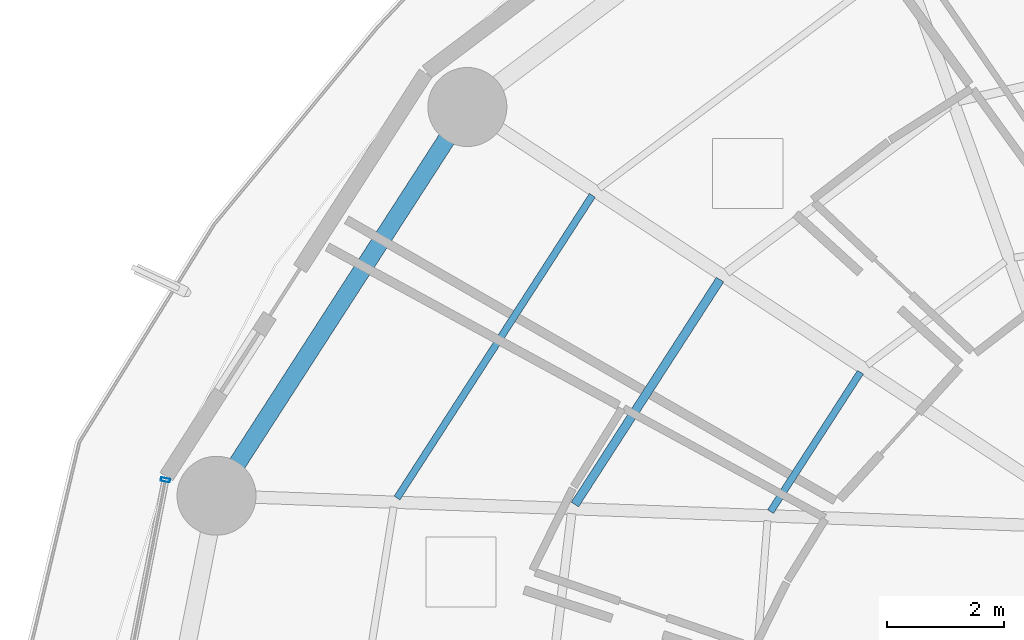
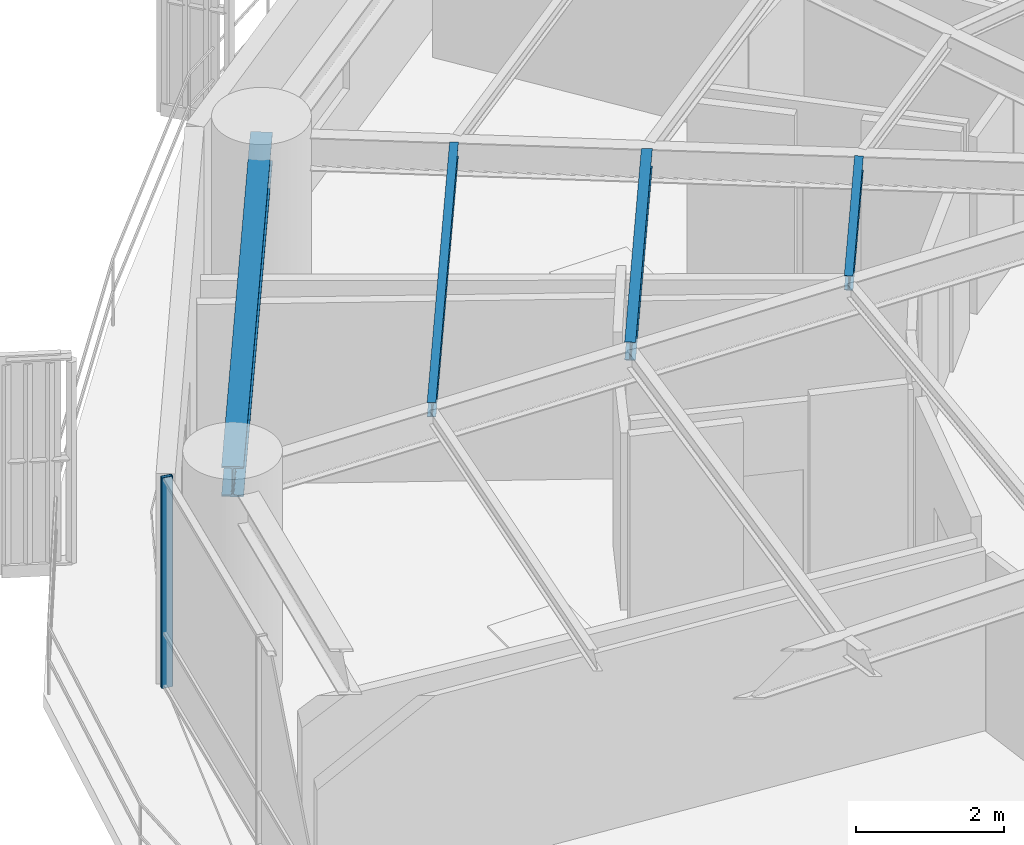
# One storey, part 18 of 37: 4 beams, 1 member, 1 element without a shape of its own.
"""IFC4 building model written with IfcOpenShell, lengths in metres."""

from ifc_helpers import new_model, si_unit, direction, frame, origin, origin_2d, place, context, subcontext, project, spatial, hollow_rectangle, i_section, extrude, material, layer, layer_set, material_profile, profile_set, type_object, element, aggregate, save


model = new_model("IFC4")

# Units and contexts
model_context = context("Model", 3, precision=1e-05, world=origin(), true_north=direction((0.0, 1.0)))
body_context = subcontext(model_context, "Body", "Model", "MODEL_VIEW")
ifc_project = project(units=[si_unit("LENGTHUNIT", "METRE"), si_unit("AREAUNIT", "SQUARE_METRE"), si_unit("VOLUMEUNIT", "CUBIC_METRE"), si_unit("PLANEANGLEUNIT", "RADIAN"), si_unit("MASSUNIT", "GRAM", prefix="KILO")], contexts=[model_context])

# Site, building, storey
site_placement = place(None, origin())
site = spatial("IfcSite", under=ifc_project, at=site_placement, CompositionType="ELEMENT")
building_placement = place(site_placement, origin())
building = spatial("IfcBuilding", under=site, at=building_placement, Name="Kelanora Arch Commons", CompositionType="ELEMENT")
storey_placement = place(building_placement, frame((0.0, 0.0, 113.85009765625)))
storey = spatial("IfcBuildingStorey", under=building, at=storey_placement, Name="L29", CompositionType="ELEMENT", Elevation=113.85009765625)

# Beams
ifc_material_1 = material(Name="Steel S355", Category="steel")
ifc_material_profile_1 = material_profile(ifc_material_1, i_section(OverallWidth=0.14990234375, OverallDepth=0.300048828125, WebThickness=0.007080078125, FlangeThickness=0.0107421875, FilletRadius=0.014892578125, at=origin_2d()), Name="IPE300")
ifc_profile_set_1 = profile_set([ifc_material_profile_1], Name="Steel S355")
beam_type_1 = type_object("IfcBeamType", Name="BM-JST-01", PredefinedType="JOIST", material=ifc_profile_set_1)
beam_1_placement = place(storey_placement, frame((59.410400390625, 69.244384765625, 3.33984375), z_axis=(-0.542230243286, -0.840229946661, 0.0), x_axis=(0.840229946661, -0.542230243286, 0.0)))
element("IfcBeam", 1, at=beam_1_placement, inside=storey, type_object=beam_type_1, Name="Secondary Chord Joist BJB-14 L29", PredefinedType="JOIST", context=body_context, shape_type="SweptSolid", body=[
    extrude(i_section(OverallWidth=0.14990234375, OverallDepth=0.300048828125, WebThickness=0.007080078125, FlangeThickness=0.0107421875, FilletRadius=0.014892578125, at=origin_2d()), origin(), (0.0, 0.0, 1.0), 4.572265625),
])
ifc_material_profile_2 = material_profile(ifc_material_1, i_section(OverallWidth=0.1201171875, OverallDepth=0.239990234375, WebThickness=0.006103515625, FlangeThickness=0.009765625, FilletRadius=0.014892578125, at=origin_2d()), Name="IPE240")
ifc_profile_set_2 = profile_set([ifc_material_profile_2], Name="Steel S355")
beam_type_2 = type_object("IfcBeamType", Name="BM-JST-02", PredefinedType="JOIST", material=ifc_profile_set_2)
beam_2_placement = place(storey_placement, frame((61.8095703125, 67.661865234375, 3.369873046875), z_axis=(-0.542211255502, -0.840242199849, 0.0), x_axis=(0.840242199849, -0.542211255502, 0.0)))
element("IfcBeam", 2, at=beam_2_placement, inside=storey, type_object=beam_type_2, Name="Secondary Chord Joist BJA-14 L29", PredefinedType="JOIST", context=body_context, shape_type="SweptSolid", body=[
    extrude(i_section(OverallWidth=0.1201171875, OverallDepth=0.239990234375, WebThickness=0.006103515625, FlangeThickness=0.009765625, FilletRadius=0.014892578125, at=origin_2d()), origin(), (0.0, 0.0, 1.0), 2.83349609375),
])
beam_3_placement = place(storey_placement, frame((57.22900390625, 70.682861328125, 3.369873046875), z_axis=(-0.542212726273, -0.840241250754, 0.0), x_axis=(0.840241250754, -0.542212726273, 0.0)))
element("IfcBeam", 3, at=beam_3_placement, inside=storey, type_object=beam_type_2, Name="Secondary Chord Joist BJC-14 L29", PredefinedType="JOIST", context=body_context, shape_type="SweptSolid", body=[
    extrude(i_section(OverallWidth=0.1201171875, OverallDepth=0.239990234375, WebThickness=0.006103515625, FlangeThickness=0.009765625, FilletRadius=0.014892578125, at=origin_2d()), origin(), (0.0, 0.0, 1.0), 6.15283203125),
])
ifc_material_profile_3 = material_profile(ifc_material_1, i_section(OverallWidth=0.300048828125, OverallDepth=0.5, WebThickness=0.014404296875, FlangeThickness=0.028076171875, FilletRadius=0.027099609375, at=origin_2d()), Name="HEB500")
ifc_profile_set_3 = profile_set([ifc_material_profile_3], Name="Steel S355")
beam_type_3 = type_object("IfcBeamType", Name="BM-SPN-Z2", PredefinedType="SPANDREL", material=ifc_profile_set_3)
beam_4_placement = place(storey_placement, frame((55.093994140625, 72.19287109375, 3.239990234375), z_axis=(-0.542221144054, -0.840235818649, 0.0), x_axis=(0.840235818649, -0.542221144054, 0.0)))
element("IfcBeam", 4, at=beam_4_placement, inside=storey, type_object=beam_type_3, Name="Perimeter Spandrel Beam BS-14 L29", PredefinedType="SPANDREL", context=body_context, shape_type="SweptSolid", body=[
    extrude(i_section(OverallWidth=0.300048828125, OverallDepth=0.5, WebThickness=0.014404296875, FlangeThickness=0.028076171875, FilletRadius=0.027099609375, at=origin_2d()), origin(), (0.0, 0.0, 1.0), 7.90380859375),
])

# Curtain wall, member
ifc_material_2 = material(Name="Terracotta ceramic-fritted low-E glass and aluminium", Category="masonry")
ifc_layer = layer(ifc_material_2, 0.159912109375)
ifc_layer_set = layer_set([ifc_layer], Name="Terracotta ceramic-fritted low-E glass and aluminium")
curtain_wall_type = type_object("IfcCurtainWallType", Name="CW-SYS-01", PredefinedType="NOTDEFINED", material=ifc_layer_set)
curtain_wall_placement = place(storey_placement, origin())
curtain_wall = element("IfcCurtainWall", 5, at=curtain_wall_placement, inside=storey, type_object=curtain_wall_type, Name="Unitised Curtain Wall L29-B08", PredefinedType="NOTDEFINED")
ifc_material_3 = material(Name="Powder-coated aluminium terracotta", Category="masonry")
ifc_material_profile_4 = material_profile(ifc_material_3, hollow_rectangle(XDim=0.159912109375, YDim=0.06005859375, WallThickness=0.0048828125, InnerFilletRadius=0.0048828125, OuterFilletRadius=0.010009765625, at=origin_2d()), Name="CWM160x60")
ifc_profile_set_4 = profile_set([ifc_material_profile_4], Name="Powder-coated aluminium terracotta")
member_type = type_object("IfcMemberType", Name="CWM-STD", PredefinedType="MULLION", material=ifc_profile_set_4)
member_placement = place(storey_placement, frame((49.935302734375, 65.822265625, 0.0), z_axis=(0.0, 0.0, 1.0), x_axis=(0.981280311646, -0.192584916272, 0.0)))
member = element("IfcMember", 6, at=member_placement, type_object=member_type, Name="CW-01 mullion 1", PredefinedType="MULLION", context=body_context, shape_type="SweptSolid", body=[
    extrude(hollow_rectangle(XDim=0.159912109375, YDim=0.06005859375, WallThickness=0.0048828125, InnerFilletRadius=0.0048828125, OuterFilletRadius=0.010009765625, at=origin_2d()), origin(), (0.0, 0.0, 1.0), 3.474853515625),
])
aggregate(curtain_wall, [member])

save(model, "model.ifc")
